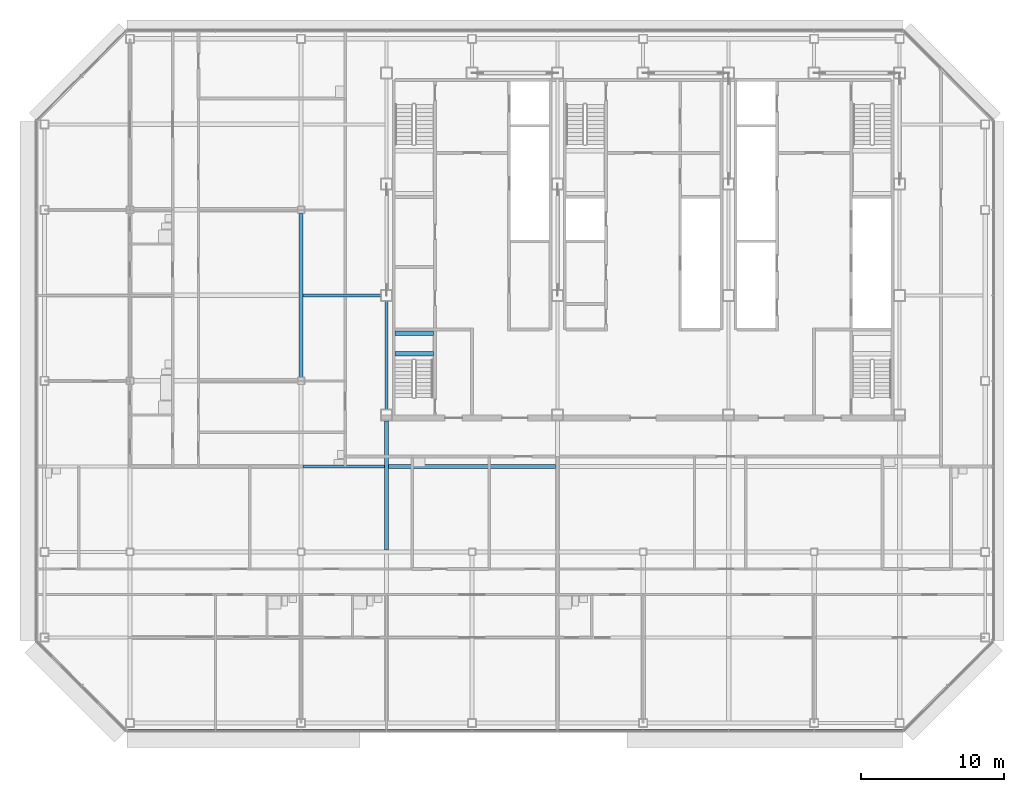
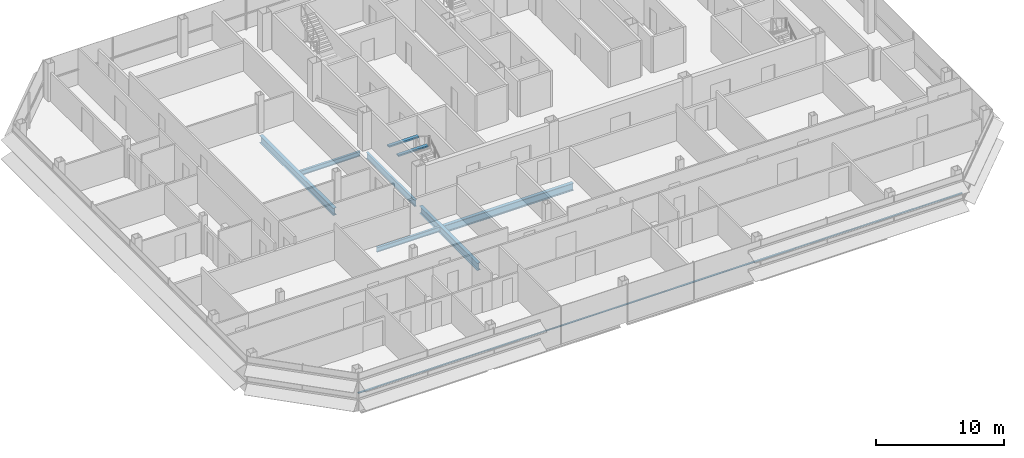
# One storey, part 8 of 27: 8 beams, 1 member, 1 element without a shape of its own.
"""IFC4 building model written with IfcOpenShell, lengths in metres."""

from ifc_helpers import new_model, si_unit, direction, frame, origin, origin_2d, place, context, subcontext, project, spatial, rectangle, i_section, extrude, material, material_profile, profile_set, type_object, element, aggregate, save


model = new_model("IFC4")

# Units and contexts
model_context = context("Model", 3, precision=1e-05, world=origin(), true_north=direction((0.0, 1.0)))
body_context = subcontext(model_context, "Body", "Model", "MODEL_VIEW")
ifc_project = project(units=[si_unit("LENGTHUNIT", "METRE"), si_unit("AREAUNIT", "SQUARE_METRE"), si_unit("VOLUMEUNIT", "CUBIC_METRE"), si_unit("PLANEANGLEUNIT", "RADIAN"), si_unit("MASSUNIT", "GRAM", prefix="KILO")], contexts=[model_context])

# Site, building, storey
site_placement = place(None, origin())
site = spatial("IfcSite", under=ifc_project, at=site_placement, CompositionType="ELEMENT")
building_placement = place(site_placement, origin())
building = spatial("IfcBuilding", under=site, at=building_placement, Name="Sorahane Residences", CompositionType="ELEMENT")
storey_placement = place(building_placement, frame((0.0, 0.0, 294.39990234375)))
storey = spatial("IfcBuildingStorey", under=building, at=storey_placement, Name="L69", CompositionType="ELEMENT", Elevation=294.39990234375)

# Curtain wall, member
ifc_material_1 = material(Name="Dark low-e glass and black anodised aluminium", Category="aluminium")
curtain_wall_type = type_object("IfcCurtainWallType", Name="Curtain wall CW-1 Typical unitised wall", PredefinedType="NOTDEFINED", material=ifc_material_1)
curtain_wall_placement = place(storey_placement, origin())
curtain_wall = element("IfcCurtainWall", 1, at=curtain_wall_placement, inside=storey, type_object=curtain_wall_type, Name="CW-1 curtain wall L69 S1", PredefinedType="NOTDEFINED")
ifc_material_2 = material(Name="Black anodised aluminium", Category="aluminium")
ifc_material_profile_1 = material_profile(ifc_material_2, rectangle(XDim=0.10009765625, YDim=0.06005859375, at=origin_2d()), Name="Curtain wall transom CW-1 black anodised aluminium 60x100")
ifc_profile_set_1 = profile_set([ifc_material_profile_1], Name="Black anodised aluminium")
member_type = type_object("IfcMemberType", Name="Curtain wall transom CW-1 black anodised aluminium 60x100", PredefinedType="USERDEFINED", material=ifc_profile_set_1)
member_placement = place(storey_placement, frame((-12.198486328125, -0.530029296875, 1.5), z_axis=(1.0, 0.0, 0.0), x_axis=(0.0, 1.0, 0.0)))
member = element("IfcMember", 2, at=member_placement, type_object=member_type, Name="CW-1 transom L69 S1", ObjectType="TRANSOM", PredefinedType="USERDEFINED", context=body_context, shape_type="SweptSolid", body=[
    extrude(rectangle(XDim=0.10009765625, YDim=0.06005859375, at=origin_2d()), origin(), (0.0, 0.0, 1.0), 54.39697265625),
])
aggregate(curtain_wall, [member])

# Beams
ifc_material_3 = material(Name="Concrete C40", Category="concrete")
ifc_material_profile_2 = material_profile(ifc_material_3, rectangle(XDim=0.300048828125, YDim=0.139892578125, at=origin_2d()), Name="300x140")
ifc_profile_set_2 = profile_set([ifc_material_profile_2], Name="Concrete C40")
beam_type_1 = type_object("IfcBeamType", Name="RC landing beam 300 x 140 Concrete C40", PredefinedType="BEAM", material=ifc_profile_set_2)
for number, where, z_axis, x_axis, name in (
    (3, (6.60009765625, 25.89990234375, 1.530029296875), (1.0, 0.0, 0.0), (0.0, 1.0, 0.0), "Landing beam"),
    (4, (6.60009765625, 27.35009765625, 1.530029296875), (1.0, 0.0, 0.0), (0.0, 1.0, 0.0), "Landing beam"),
):
    element("IfcBeam", number, at=place(storey_placement, frame(where, z_axis=z_axis, x_axis=x_axis)), inside=storey, type_object=beam_type_1, Name=name, PredefinedType="BEAM", context=body_context, shape_type="SweptSolid", body=[
        extrude(rectangle(XDim=0.300048828125, YDim=0.139892578125, at=origin_2d()), origin(), (0.0, 0.0, 1.0), 2.699951171875),
    ])
ifc_material_4 = material(Name="Steel Q355B", Category="steel")
ifc_material_profile_3 = material_profile(ifc_material_4, i_section(OverallWidth=0.199951171875, OverallDepth=0.449951171875, WebThickness=0.009033203125, FlangeThickness=0.013916015625, FilletRadius=0.02001953125, at=origin_2d()), Name="HN 450x200x9x14")
ifc_profile_set_3 = profile_set([ifc_material_profile_3], Name="Steel Q355B")
beam_type_2 = type_object("IfcBeamType", Name="Steel floor beam HN 450x200x9x14 Q355B", PredefinedType="BEAM", material=ifc_profile_set_3)
beam_1_placement = place(storey_placement, frame((0.14990234375, 18.0, -0.40478515625), z_axis=(1.0, 0.0, 0.0), x_axis=(0.0, 1.0, 0.0)))
element("IfcBeam", 5, at=beam_1_placement, inside=storey, type_object=beam_type_2, Name="Beam L69 078", PredefinedType="BEAM", context=body_context, shape_type="SweptSolid", body=[
    extrude(i_section(OverallWidth=0.199951171875, OverallDepth=0.449951171875, WebThickness=0.009033203125, FlangeThickness=0.013916015625, FilletRadius=0.02001953125, at=origin_2d()), origin(), (0.0, 0.0, 1.0), 5.7001953125),
])
beam_2_placement = place(storey_placement, frame((0.14990234375, 30.0, -0.40478515625), z_axis=(1.0, 0.0, 0.0), x_axis=(0.0, 1.0, 0.0)))
element("IfcBeam", 6, at=beam_2_placement, inside=storey, type_object=beam_type_2, Name="Beam L69 085", PredefinedType="BEAM", context=body_context, shape_type="SweptSolid", body=[
    extrude(i_section(OverallWidth=0.199951171875, OverallDepth=0.449951171875, WebThickness=0.009033203125, FlangeThickness=0.013916015625, FilletRadius=0.02001953125, at=origin_2d()), origin(), (0.0, 0.0, 1.0), 5.4501953125),
])
ifc_material_5 = material(Name="Steel Q355B", Category="steel")
ifc_material_profile_4 = material_profile(ifc_material_5, i_section(OverallWidth=0.199951171875, OverallDepth=0.60009765625, WebThickness=0.010986328125, FlangeThickness=0.01708984375, FilletRadius=0.02392578125, at=origin_2d()), Name="HN 600x200x11x17")
ifc_profile_set_4 = profile_set([ifc_material_profile_4], Name="Steel Q355B")
beam_type_3 = type_object("IfcBeamType", Name="Steel floor beam HN 600x200x11x17 Q355B", PredefinedType="BEAM", material=ifc_profile_set_4)
beam_3_placement = place(storey_placement, frame((6.0, 22.0, -0.47998046875), z_axis=(0.0, 1.0, 0.0), x_axis=(-1.0, 0.0, 0.0)))
element("IfcBeam", 7, at=beam_3_placement, inside=storey, type_object=beam_type_3, Name="Beam L69 034", PredefinedType="BEAM", context=body_context, shape_type="SweptSolid", body=[
    extrude(i_section(OverallWidth=0.199951171875, OverallDepth=0.60009765625, WebThickness=0.010986328125, FlangeThickness=0.01708984375, FilletRadius=0.02392578125, at=origin_2d()), origin(), (0.0, 0.0, 1.0), 7.60009765625),
])
ifc_material_6 = material(Name="Steel Q355B", Category="steel")
ifc_material_profile_5 = material_profile(ifc_material_6, i_section(OverallWidth=0.300048828125, OverallDepth=0.699951171875, WebThickness=0.012939453125, FlangeThickness=0.02392578125, FilletRadius=0.028076171875, at=origin_2d()), Name="HN 700x300x13x24")
ifc_profile_set_5 = profile_set([ifc_material_profile_5], Name="Steel Q355B")
beam_type_4 = type_object("IfcBeamType", Name="Steel floor beam HN 700x300x13x24 Q355B", PredefinedType="BEAM", material=ifc_profile_set_5)
beam_4_placement = place(storey_placement, frame((0.0, 24.25, -0.52978515625), z_axis=(0.0, 1.0, 0.0), x_axis=(-1.0, 0.0, 0.0)))
element("IfcBeam", 8, at=beam_4_placement, inside=storey, type_object=beam_type_4, Name="Beam L69 030", PredefinedType="BEAM", context=body_context, shape_type="SweptSolid", body=[
    extrude(i_section(OverallWidth=0.300048828125, OverallDepth=0.699951171875, WebThickness=0.012939453125, FlangeThickness=0.02392578125, FilletRadius=0.028076171875, at=origin_2d()), origin(), (0.0, 0.0, 1.0), 11.5),
])
beam_5_placement = place(storey_placement, frame((6.0, 12.14990234375, -0.52978515625), z_axis=(0.0, 1.0, 0.0), x_axis=(-1.0, 0.0, 0.0)))
element("IfcBeam", 9, at=beam_5_placement, inside=storey, type_object=beam_type_4, Name="Beam L69 033", PredefinedType="BEAM", context=body_context, shape_type="SweptSolid", body=[
    extrude(i_section(OverallWidth=0.300048828125, OverallDepth=0.699951171875, WebThickness=0.012939453125, FlangeThickness=0.02392578125, FilletRadius=0.028076171875, at=origin_2d()), origin(), (0.0, 0.0, 1.0), 9.050048828125),
])
beam_6_placement = place(storey_placement, frame((6.14990234375, 18.0, -0.52978515625), z_axis=(1.0, 0.0, 0.0), x_axis=(0.0, 1.0, 0.0)))
element("IfcBeam", 10, at=beam_6_placement, inside=storey, type_object=beam_type_4, Name="Beam L69 079", PredefinedType="BEAM", context=body_context, shape_type="SweptSolid", body=[
    extrude(i_section(OverallWidth=0.300048828125, OverallDepth=0.699951171875, WebThickness=0.012939453125, FlangeThickness=0.02392578125, FilletRadius=0.028076171875, at=origin_2d()), origin(), (0.0, 0.0, 1.0), 11.7001953125),
])

save(model, "model.ifc")
